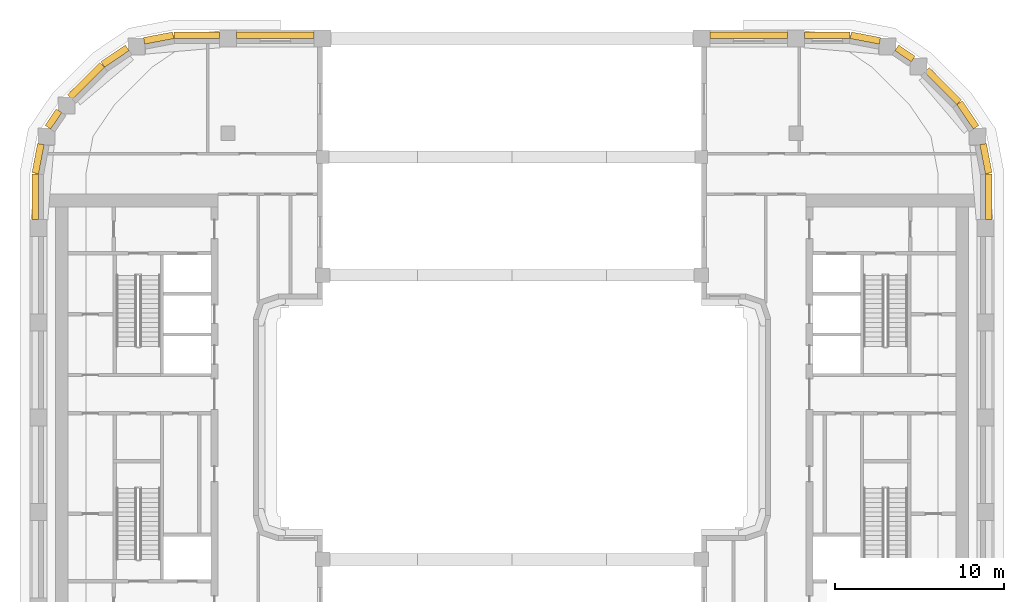
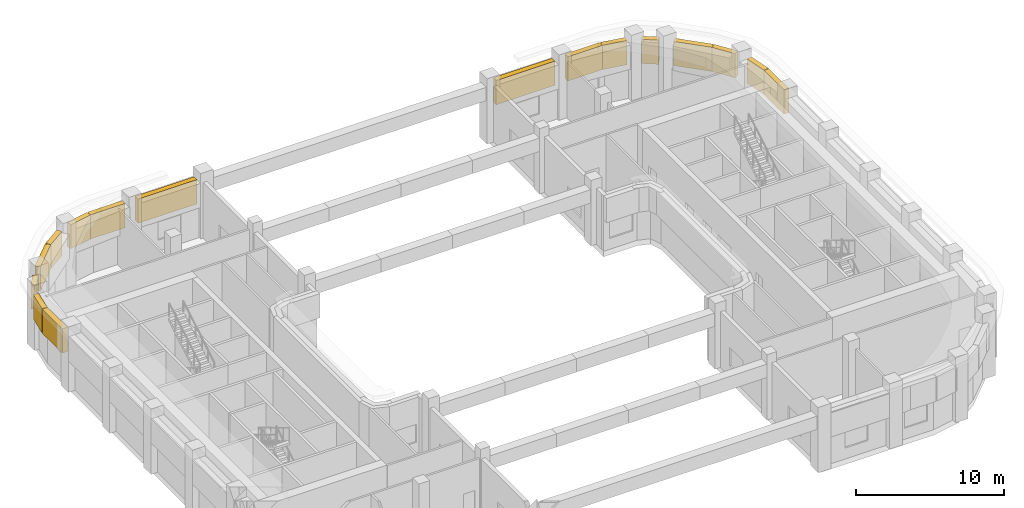
# One storey, part 14 of 14: 16 coverings.
"""IFC4 building model written with IfcOpenShell, lengths in metres."""

from ifc_helpers import new_model, si_unit, direction, frame, origin, origin_2d, place, context, subcontext, project, spatial, rectangle, extrude, material, type_object, element, save


model = new_model("IFC4")

# Units and contexts
model_context = context("Model", 3, precision=1e-05, world=origin(), true_north=direction((0.0, 1.0)))
body_context = subcontext(model_context, "Body", "Model", "MODEL_VIEW")
ifc_project = project(units=[si_unit("LENGTHUNIT", "METRE"), si_unit("AREAUNIT", "SQUARE_METRE"), si_unit("VOLUMEUNIT", "CUBIC_METRE"), si_unit("PLANEANGLEUNIT", "RADIAN"), si_unit("MASSUNIT", "GRAM", prefix="KILO")], contexts=[model_context])

# Site, building, storey
site_placement = place(None, origin())
site = spatial("IfcSite", under=ifc_project, at=site_placement, CompositionType="ELEMENT")
building_placement = place(site_placement, origin())
building = spatial("IfcBuilding", under=site, at=building_placement, Name="Kiln Ring Residences", CompositionType="ELEMENT")
storey_placement = place(building_placement, frame((0.0, 0.0, 183.5)))
storey = spatial("IfcBuildingStorey", under=building, at=storey_placement, Name="L47", CompositionType="ELEMENT", Elevation=183.5)

# Coverings
ifc_material = material(Name="Concrete C35/45, exposed aggregate finish", Category="concrete")
covering_type = type_object("IfcCoveringType", Name="TIE BAND 2000 x 400", PredefinedType="CLADDING", material=ifc_material)
covering_1_placement = place(storey_placement, frame((-14.0, 22.60009765625, 2.60009765625), z_axis=(0.0, 0.0, 1.0), x_axis=(-1.0, 0.0, 0.0)))
element("IfcCovering", 1, at=covering_1_placement, inside=storey, type_object=covering_type, Name="TIE BAND L47", PredefinedType="CLADDING", context=body_context, shape_type="SweptSolid", body=[
    extrude(rectangle(XDim=4.60009765625, YDim=0.39990234375, at=origin_2d()), origin(), (0.0, 0.0, 1.0), 2.0),
])
covering_2_placement = place(storey_placement, frame((-18.64990234375, 22.60009765625, 2.60009765625), z_axis=(0.0, 0.0, 1.0), x_axis=(-1.0, 0.0, 0.0)))
element("IfcCovering", 2, at=covering_2_placement, inside=storey, type_object=covering_type, Name="TIE BAND L47", PredefinedType="CLADDING", context=body_context, shape_type="SweptSolid", body=[
    extrude(rectangle(XDim=2.699951171875, YDim=0.39990234375, at=origin_2d()), origin(), (0.0, 0.0, 1.0), 2.0),
])
for number, where, z_axis, x_axis, name in (
    (3, (-20.89990234375, 22.431884765625, 2.60009765625), (0.0, 0.0, 1.0), (-0.98229025778, -0.187365550382, 0.0), "TIE BAND L47"),
    (4, (-23.483154296875, 21.36181640625, 2.60009765625), (0.0, 0.0, 1.0), (-0.827071553606, -0.562096651134, 0.0), "TIE BAND L47"),
):
    element("IfcCovering", number, at=place(storey_placement, frame(where, z_axis=z_axis, x_axis=x_axis)), inside=storey, type_object=covering_type, Name=name, PredefinedType="CLADDING", context=body_context, shape_type="SweptSolid", body=[
        extrude(rectangle(XDim=1.756103515625, YDim=0.39990234375, at=origin_2d()), origin(), (0.0, 0.0, 1.0), 2.0),
    ])
covering_3_placement = place(storey_placement, frame((-25.193115234375, 19.8896484375, 2.60009765625), z_axis=(0.0, 0.0, 1.0), x_axis=(-0.707106781187, -0.707106781187, 0.0)))
element("IfcCovering", 5, at=covering_3_placement, inside=storey, type_object=covering_type, Name="TIE BAND L47", PredefinedType="CLADDING", context=body_context, shape_type="SweptSolid", body=[
    extrude(rectangle(XDim=2.699951171875, YDim=0.39990234375, at=origin_2d()), origin(), (0.0, 0.0, 1.0), 2.0),
])
covering_4_placement = place(storey_placement, frame((-27.12451171875, 17.643798828125, 2.60009765625), z_axis=(0.0, 0.0, 1.0), x_axis=(-0.562096651134, -0.827071553606, 0.0)))
element("IfcCovering", 6, at=covering_4_placement, inside=storey, type_object=covering_type, Name="TIE BAND L47", PredefinedType="CLADDING", context=body_context, shape_type="SweptSolid", body=[
    extrude(rectangle(XDim=1.177001953125, YDim=0.39990234375, at=origin_2d()), origin(), (0.0, 0.0, 1.0), 2.0),
])
covering_5_placement = place(storey_placement, frame((-28.031982421875, 15.300048828125, 2.60009765625), z_axis=(0.0, 0.0, 1.0), x_axis=(-0.187365550382, -0.98229025778, 0.0)))
element("IfcCovering", 7, at=covering_5_placement, inside=storey, type_object=covering_type, Name="TIE BAND L47", PredefinedType="CLADDING", context=body_context, shape_type="SweptSolid", body=[
    extrude(rectangle(XDim=1.756103515625, YDim=0.39990234375, at=origin_2d()), origin(), (0.0, 0.0, 1.0), 2.0),
])
for number, where, z_axis, x_axis, name in (
    (8, (-28.199951171875, 13.050048828125, 2.60009765625), (0.0, 0.0, 1.0), (0.0, -1.0, 0.0), "TIE BAND L47"),
    (9, (28.199951171875, 13.050048828125, 2.60009765625), (0.0, 0.0, 1.0), (0.0, 1.0, 0.0), "TIE BAND L47"),
):
    element("IfcCovering", number, at=place(storey_placement, frame(where, z_axis=z_axis, x_axis=x_axis)), inside=storey, type_object=covering_type, Name=name, PredefinedType="CLADDING", context=body_context, shape_type="SweptSolid", body=[
        extrude(rectangle(XDim=2.699951171875, YDim=0.39990234375, at=origin_2d()), origin(), (0.0, 0.0, 1.0), 2.0),
    ])
for number, where, z_axis, x_axis, name in (
    (10, (28.031982421875, 15.300048828125, 2.60009765625), (0.0, 0.0, 1.0), (-0.187365550382, 0.98229025778, 0.0), "TIE BAND L47"),
    (11, (26.9619140625, 17.88330078125, 2.60009765625), (0.0, 0.0, 1.0), (-0.562096651134, 0.827071553606, 0.0), "TIE BAND L47"),
):
    element("IfcCovering", number, at=place(storey_placement, frame(where, z_axis=z_axis, x_axis=x_axis)), inside=storey, type_object=covering_type, Name=name, PredefinedType="CLADDING", context=body_context, shape_type="SweptSolid", body=[
        extrude(rectangle(XDim=1.756103515625, YDim=0.39990234375, at=origin_2d()), origin(), (0.0, 0.0, 1.0), 2.0),
    ])
covering_6_placement = place(storey_placement, frame((25.48974609375, 19.593017578125, 2.60009765625), z_axis=(0.0, 0.0, 1.0), x_axis=(-0.707106781187, 0.707106781187, 0.0)))
element("IfcCovering", 12, at=covering_6_placement, inside=storey, type_object=covering_type, Name="TIE BAND L47", PredefinedType="CLADDING", context=body_context, shape_type="SweptSolid", body=[
    extrude(rectangle(XDim=2.699951171875, YDim=0.39990234375, at=origin_2d()), origin(), (0.0, 0.0, 1.0), 2.0),
])
covering_7_placement = place(storey_placement, frame((23.243896484375, 21.524658203125, 2.60009765625), z_axis=(0.0, 0.0, 1.0), x_axis=(-0.827071553606, 0.562096651134, 0.0)))
element("IfcCovering", 13, at=covering_7_placement, inside=storey, type_object=covering_type, Name="TIE BAND L47", PredefinedType="CLADDING", context=body_context, shape_type="SweptSolid", body=[
    extrude(rectangle(XDim=1.177001953125, YDim=0.39990234375, at=origin_2d()), origin(), (0.0, 0.0, 1.0), 2.0),
])
covering_8_placement = place(storey_placement, frame((20.89990234375, 22.431884765625, 2.60009765625), z_axis=(0.0, 0.0, 1.0), x_axis=(-0.98229025778, 0.187365550382, 0.0)))
element("IfcCovering", 14, at=covering_8_placement, inside=storey, type_object=covering_type, Name="TIE BAND L47", PredefinedType="CLADDING", context=body_context, shape_type="SweptSolid", body=[
    extrude(rectangle(XDim=1.756103515625, YDim=0.39990234375, at=origin_2d()), origin(), (0.0, 0.0, 1.0), 2.0),
])
covering_9_placement = place(storey_placement, frame((18.64990234375, 22.60009765625, 2.60009765625), z_axis=(0.0, 0.0, 1.0), x_axis=(-1.0, 0.0, 0.0)))
element("IfcCovering", 15, at=covering_9_placement, inside=storey, type_object=covering_type, Name="TIE BAND L47", PredefinedType="CLADDING", context=body_context, shape_type="SweptSolid", body=[
    extrude(rectangle(XDim=2.699951171875, YDim=0.39990234375, at=origin_2d()), origin(), (0.0, 0.0, 1.0), 2.0),
])
covering_10_placement = place(storey_placement, frame((14.0, 22.60009765625, 2.60009765625), z_axis=(0.0, 0.0, 1.0), x_axis=(-1.0, 0.0, 0.0)))
element("IfcCovering", 16, at=covering_10_placement, inside=storey, type_object=covering_type, Name="TIE BAND L47", PredefinedType="CLADDING", context=body_context, shape_type="SweptSolid", body=[
    extrude(rectangle(XDim=4.60009765625, YDim=0.39990234375, at=origin_2d()), origin(), (0.0, 0.0, 1.0), 2.0),
])

save(model, "model.ifc")
